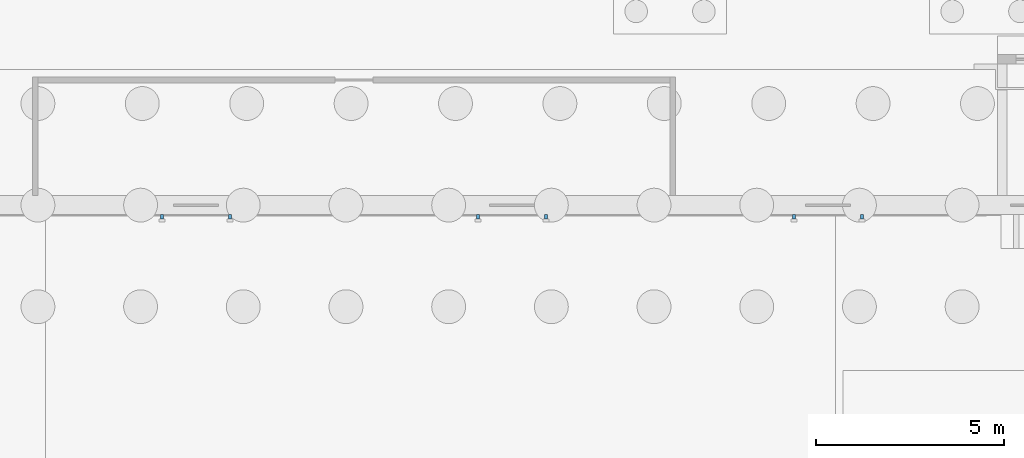
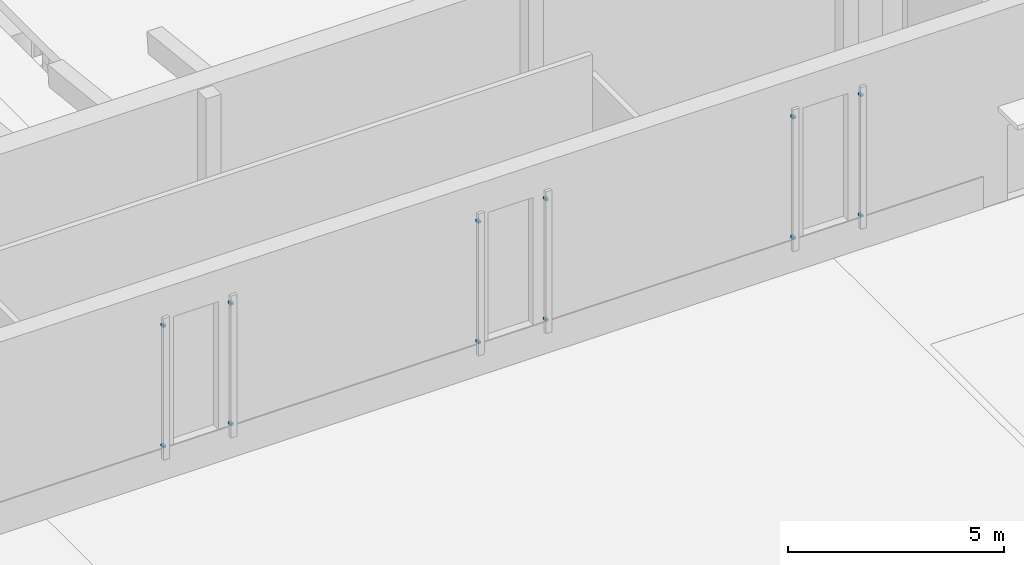
# One storey, part 84 of 127: 12 discrete accessories.
"""IFC4 building model written with IfcOpenShell, lengths in metres."""

from ifc_helpers import new_model, si_unit, direction, frame, origin, origin_2d, place, context, subcontext, project, spatial, rectangle, extrude, material, type_object, element, save


model = new_model("IFC4")

# Units and contexts
model_context = context("Model", 3, precision=1e-05, world=origin(), true_north=direction((0.0, 1.0)))
body_context = subcontext(model_context, "Body", "Model", "MODEL_VIEW")
ifc_project = project(units=[si_unit("LENGTHUNIT", "METRE"), si_unit("AREAUNIT", "SQUARE_METRE"), si_unit("VOLUMEUNIT", "CUBIC_METRE"), si_unit("PLANEANGLEUNIT", "RADIAN"), si_unit("MASSUNIT", "GRAM", prefix="KILO")], contexts=[model_context])

# Site, building, storey
site_placement = place(None, origin())
site = spatial("IfcSite", under=ifc_project, at=site_placement, CompositionType="ELEMENT")
building_placement = place(site_placement, origin())
building = spatial("IfcBuilding", under=site, at=building_placement, Name="Ljudholm Concert House", CompositionType="ELEMENT")
storey_placement = place(building_placement, origin())
storey = spatial("IfcBuildingStorey", under=building, at=storey_placement, Name="L00", CompositionType="ELEMENT", Elevation=0.0)

# Discrete accessories
ifc_material = material(Name="Stainless steel bracket", Category="steel")
discrete_accessory_type = type_object("IfcDiscreteAccessoryType", Name="BRACKET 120", PredefinedType="BRACKET", material=ifc_material)
for number, where, z_axis, x_axis, name in (
    (1, (66.10009765625, 54.090087890625, 0.969970703125), (0.0, 0.0, 1.0), (0.0, -1.0, 0.0), "Fin bracket"),
    (2, (66.10009765625, 54.090087890625, 4.369873046875), (0.0, 0.0, 1.0), (0.0, -1.0, 0.0), "Fin bracket"),
    (3, (67.89990234375, 54.090087890625, 0.969970703125), (0.0, 0.0, 1.0), (0.0, -1.0, 0.0), "Fin bracket"),
    (4, (67.89990234375, 54.090087890625, 4.369873046875), (0.0, 0.0, 1.0), (0.0, -1.0, 0.0), "Fin bracket"),
    (5, (74.5, 54.090087890625, 0.969970703125), (0.0, 0.0, 1.0), (0.0, -1.0, 0.0), "Fin bracket"),
    (6, (74.5, 54.090087890625, 4.369873046875), (0.0, 0.0, 1.0), (0.0, -1.0, 0.0), "Fin bracket"),
    (7, (76.300048828125, 54.090087890625, 0.969970703125), (0.0, 0.0, 1.0), (0.0, -1.0, 0.0), "Fin bracket"),
    (8, (76.300048828125, 54.090087890625, 4.369873046875), (0.0, 0.0, 1.0), (0.0, -1.0, 0.0), "Fin bracket"),
    (9, (82.89990234375, 54.090087890625, 0.969970703125), (0.0, 0.0, 1.0), (0.0, -1.0, 0.0), "Fin bracket"),
    (10, (82.89990234375, 54.090087890625, 4.369873046875), (0.0, 0.0, 1.0), (0.0, -1.0, 0.0), "Fin bracket"),
    (11, (84.699951171875, 54.090087890625, 0.969970703125), (0.0, 0.0, 1.0), (0.0, -1.0, 0.0), "Fin bracket"),
    (12, (84.699951171875, 54.090087890625, 4.369873046875), (0.0, 0.0, 1.0), (0.0, -1.0, 0.0), "Fin bracket"),
):
    element("IfcDiscreteAccessory", number, at=place(storey_placement, frame(where, z_axis=z_axis, x_axis=x_axis)), inside=storey, type_object=discrete_accessory_type, Name=name, PredefinedType="BRACKET", context=body_context, shape_type="SweptSolid", body=[
        extrude(rectangle(XDim=0.1201171875, YDim=0.080078125, at=origin_2d()), origin(), (0.0, 0.0, 1.0), 0.06005859375),
    ])

save(model, "model.ifc")
